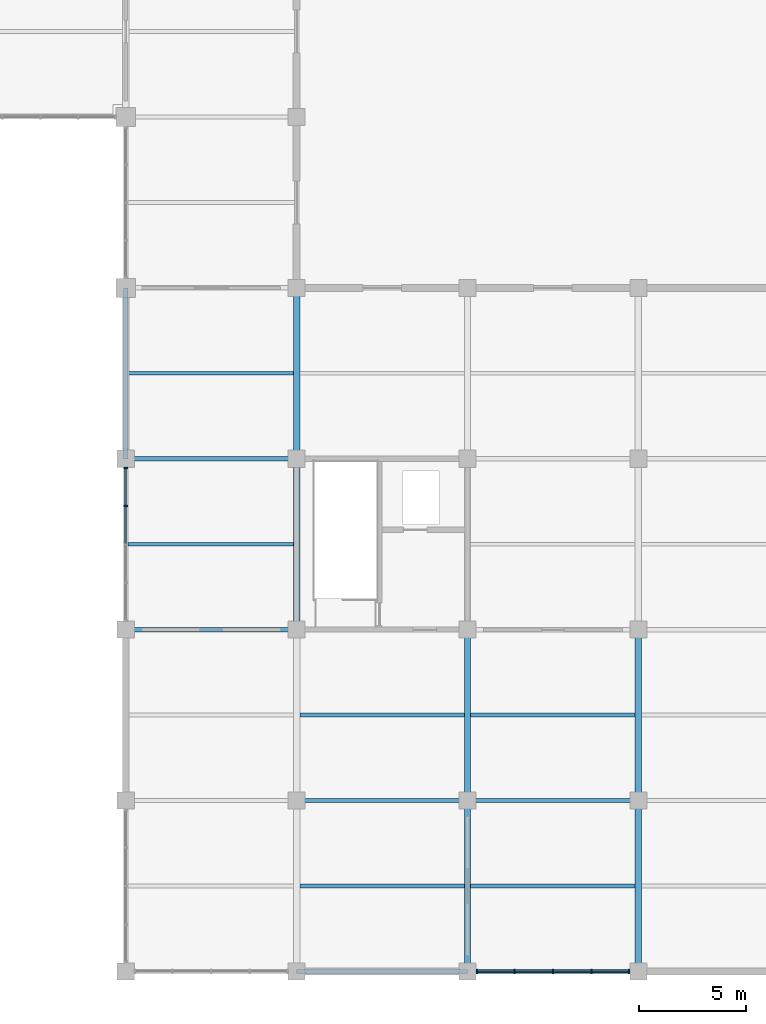
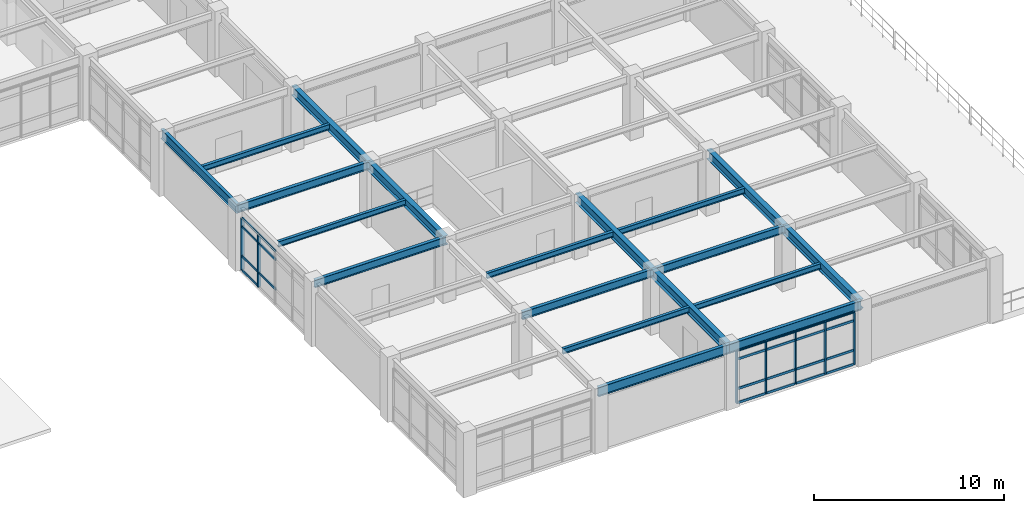
# One storey, part 34 of 118: 30 members, 19 beams, 2 elements without a shape of their own.
"""IFC4 building model written with IfcOpenShell, lengths in metres."""

import ifcopenshell
import ifcopenshell.guid

model = None  # the IFC model being written
_history = None  # IfcOwnerHistory: only IFC2X3 demands one
_inside = {}  # id of a spatial element -> (the spatial element, [elements in it])
_under = {}  # id of a project, library or spatial element -> (it, [spatial elements below it])
_declared = {}  # id of a project -> (the project, [libraries it declares])
_typed = {}  # id of a type object -> (the type object, [elements of that type])
_made_of = {}  # id of a material, layer set ... -> (it, [elements and type objects made of it])


def new_model(schema):
    """Start an empty IFC model of exactly this schema.

    Asked for "IFC4X3", IfcOpenShell would pick the latest addendum, in which some entities
    have other attributes; the version numbers below select the first issue.
    IFC2X3 requires an IfcOwnerHistory on every rooted entity: one is made here for all.
    """
    global model, _history
    if schema == "IFC4X3":
        model = ifcopenshell.file(schema_version=(4, 3, 0, 0))
    else:
        model = ifcopenshell.file(schema=schema)
    _inside.clear()
    _under.clear()
    _declared.clear()
    _typed.clear()
    _made_of.clear()
    _history = None
    if model.schema == "IFC2X3":
        org = make("IfcOrganization", Name="unknown")
        user = make(
            "IfcPersonAndOrganization",
            ThePerson=make("IfcPerson", FamilyName="unknown"),
            TheOrganization=org,
        )
        app = make(
            "IfcApplication",
            ApplicationDeveloper=org,
            Version="unknown",
            ApplicationFullName="unknown",
            ApplicationIdentifier="unknown",
        )
        _history = make(
            "IfcOwnerHistory",
            OwningUser=user,
            OwningApplication=app,
            ChangeAction="ADDED",
            CreationDate=0,
        )
    return model


def make(cls, **values):
    """One entity of the class cls with the attributes given. An attribute that is None is left unset."""
    return model.create_entity(
        cls, **{name: value for name, value in values.items() if value is not None}
    )


def rooted(cls, **values):
    """An entity with a GlobalId (a new one), such as an element, a storey or a relation."""
    return make(cls, GlobalId=ifcopenshell.guid.new(), OwnerHistory=_history, **values)


def si_unit(unit_type, name, prefix=None):
    """IfcSIUnit, for example si_unit("LENGTHUNIT", "METRE", prefix="MILLI")."""
    return make("IfcSIUnit", UnitType=unit_type, Prefix=prefix, Name=name)


def assignment(units):
    """IfcUnitAssignment: the units of a project."""
    return None if units is None else make("IfcUnitAssignment", Units=units)


def point(xyz):
    """IfcCartesianPoint."""
    return None if xyz is None else make("IfcCartesianPoint", Coordinates=xyz)


def direction(xyz):
    """IfcDirection."""
    return None if xyz is None else make("IfcDirection", DirectionRatios=xyz)


def frame(location, z_axis=None, x_axis=None):
    """IfcAxis2Placement3D, a coordinate frame: its origin and axes. An axis left out is left unset."""
    return make(
        "IfcAxis2Placement3D",
        Location=point(location),
        Axis=direction(z_axis),
        RefDirection=direction(x_axis),
    )


def frame_2d(location, x_axis=None):
    """IfcAxis2Placement2D, a coordinate frame in the plane: its origin and x axis."""
    return make(
        "IfcAxis2Placement2D", Location=point(location), RefDirection=direction(x_axis)
    )


def origin():
    """The frame at (0, 0, 0) with its axes left unset."""
    return frame((0.0, 0.0, 0.0))


def origin_2d():
    """The frame at (0, 0) in the plane with its x axis left unset."""
    return frame_2d((0.0, 0.0))


def place(relative_to, where):
    """IfcLocalPlacement: puts the frame where relative to a parent placement (None: the world)."""
    return make(
        "IfcLocalPlacement", PlacementRelTo=relative_to, RelativePlacement=where
    )


def context(
    kind, dimensions, precision=None, world=None, true_north=None, identifier=None
):
    """IfcGeometricRepresentationContext, for example the 3D "Model" context."""
    return make(
        "IfcGeometricRepresentationContext",
        ContextIdentifier=identifier,
        ContextType=kind,
        CoordinateSpaceDimension=dimensions,
        Precision=precision,
        WorldCoordinateSystem=world,
        TrueNorth=true_north,
    )


def subcontext(parent, identifier, kind, view, scale=None):
    """IfcGeometricRepresentationSubContext, for example "Body" below "Model"."""
    return make(
        "IfcGeometricRepresentationSubContext",
        ContextIdentifier=identifier,
        ContextType=kind,
        ParentContext=parent,
        TargetScale=scale,
        TargetView=view,
    )


def project(units=None, contexts=None):
    """IfcProject with its units and contexts."""
    return rooted(
        "IfcProject",
        Name="project",
        RepresentationContexts=contexts,
        UnitsInContext=assignment(units),
    )


def spatial(cls, under=None, at=None, **own):
    """A site, building, storey or space (cls), placed at a placement, below another one or the project."""
    s = rooted(cls, ObjectPlacement=at, **own)
    if under is not None:
        _under.setdefault(under.id(), (under, []))[1].append(s)
    return s


def profile(cls, at=None, kind="AREA", **sizes):
    """A parametric profile (cls). Its sizes go by their IFC names, for example OverallWidth=200.0."""
    return make(cls, ProfileType=kind, Position=at, **sizes)


def rectangle(**sizes):
    """IfcRectangleProfileDef."""
    return profile("IfcRectangleProfileDef", **sizes)


def i_section(**sizes):
    """IfcIShapeProfileDef."""
    return profile("IfcIShapeProfileDef", **sizes)


def extrude(swept, where, along, depth):
    """IfcExtrudedAreaSolid: the profile swept, set in the frame where, extruded along a direction by depth."""
    return make(
        "IfcExtrudedAreaSolid",
        SweptArea=swept,
        Position=where,
        ExtrudedDirection=direction(along),
        Depth=depth,
    )


def shape(context_of_items, identifier, shape_type, items):
    """IfcShapeRepresentation: the items that make up one representation, for example the "Body"."""
    return make(
        "IfcShapeRepresentation",
        ContextOfItems=context_of_items,
        RepresentationIdentifier=identifier,
        RepresentationType=shape_type,
        Items=items,
    )


def material(Name=None, Category=None):
    """IfcMaterial."""
    return make("IfcMaterial", Name=Name, Category=Category)


def layer(
    of_material, thickness, ventilated=None, Name=None, Category=None, Priority=None
):
    """IfcMaterialLayer: one layer of a wall or slab, of a material (None: an air gap)."""
    return make(
        "IfcMaterialLayer",
        Material=of_material,
        LayerThickness=thickness,
        IsVentilated=ventilated,
        Name=Name,
        Category=Category,
        Priority=Priority,
    )


def layer_set(layers, Name=None):
    """IfcMaterialLayerSet."""
    return make("IfcMaterialLayerSet", MaterialLayers=layers, LayerSetName=Name)


def material_profile(
    of_material, cross_section, Name=None, Category=None, Priority=None
):
    """IfcMaterialProfile: a cross section and its material."""
    return make(
        "IfcMaterialProfile",
        Name=Name,
        Material=of_material,
        Profile=cross_section,
        Priority=Priority,
        Category=Category,
    )


def profile_set(profiles, Name=None, composite=None):
    """IfcMaterialProfileSet."""
    return make(
        "IfcMaterialProfileSet",
        Name=Name,
        MaterialProfiles=profiles,
        CompositeProfile=composite,
    )


def made_of(thing, what):
    """Note that an element or type object is made of a material, layer set ...; save() writes the relation."""
    if what is not None:
        _made_of.setdefault(what.id(), (what, []))[1].append(thing)
    return thing


def type_object(cls, material=None, **own):
    """A type object (cls), such as IfcWallType, which elements share."""
    return made_of(rooted(cls, **own), material)


def element(
    cls,
    number,
    at=None,
    inside=None,
    cuts=None,
    type_object=None,
    material=None,
    context=None,
    identifier="Body",
    shape_type=None,
    held_by="IfcProductDefinitionShape",
    body=None,
    shapes=None,
    **own,
):
    """One element of the class cls, such as IfcWall. Its Tag is "e" and its number.

    at: its placement. inside: the storey or other place that contains it. cuts: it is an
    opening in that element (IfcRelVoidsElement). A single representation is given by context,
    identifier, shape_type and body (its items); several are given by shapes. held_by: the class
    of the entity that holds the representations. save() writes the other relations.
    """
    e = rooted(cls, Tag="e%d" % number, ObjectPlacement=at, **own)
    if body is not None:
        shapes = [shape(context, identifier, shape_type, body)]
    if shapes is not None:
        e.Representation = make(held_by, Representations=shapes)
    if inside is not None:
        _inside.setdefault(inside.id(), (inside, []))[1].append(e)
    if cuts is not None:
        rooted(
            "IfcRelVoidsElement", RelatingBuildingElement=cuts, RelatedOpeningElement=e
        )
    if type_object is not None:
        _typed.setdefault(type_object.id(), (type_object, []))[1].append(e)
    return made_of(e, material)


def aggregate(whole, parts):
    """IfcRelAggregates: a whole, such as a stair, and the parts it consists of."""
    return rooted("IfcRelAggregates", RelatingObject=whole, RelatedObjects=parts)


def save(model, path):
    """Write the relations noted so far, then the file.

    IfcRelAggregates (storeys below a building ...), IfcRelContainedInSpatialStructure (elements
    in a storey), IfcRelDefinesByType, IfcRelAssociatesMaterial and IfcRelDeclares: one each for
    every whole, place, type object, material and project.
    """
    for whole, parts in _under.values():
        aggregate(whole, parts)
    for where, things in _inside.values():
        rooted(
            "IfcRelContainedInSpatialStructure",
            RelatedElements=things,
            RelatingStructure=where,
        )
    for kind, things in _typed.values():
        rooted("IfcRelDefinesByType", RelatedObjects=things, RelatingType=kind)
    for what, things in _made_of.values():
        rooted("IfcRelAssociatesMaterial", RelatedObjects=things, RelatingMaterial=what)
    for by, libraries in _declared.values():
        rooted("IfcRelDeclares", RelatingContext=by, RelatedDefinitions=libraries)
    model.write(path)


model = new_model("IFC4")

# Units and contexts
model_context = context("Model", 3, precision=1e-05, world=origin(), true_north=direction((0.0, 1.0)))
body_context = subcontext(model_context, "Body", "Model", "MODEL_VIEW")
ifc_project = project(units=[si_unit("LENGTHUNIT", "METRE"), si_unit("AREAUNIT", "SQUARE_METRE"), si_unit("VOLUMEUNIT", "CUBIC_METRE"), si_unit("PLANEANGLEUNIT", "RADIAN"), si_unit("MASSUNIT", "GRAM", prefix="KILO")], contexts=[model_context])

# Site, building, storey
site_placement = place(None, origin())
site = spatial("IfcSite", under=ifc_project, at=site_placement, CompositionType="ELEMENT")
building_placement = place(site_placement, origin())
building = spatial("IfcBuilding", under=site, at=building_placement, Name="Haebicheon Civic Stadium", CompositionType="ELEMENT")
storey_placement = place(building_placement, frame((0.0, 0.0, 14.39990234375)))
storey = spatial("IfcBuildingStorey", under=building, at=storey_placement, Name="L04", CompositionType="ELEMENT", Elevation=14.39990234375)

# Beams
ifc_material_1 = material(Name="Steel SM355 (S355)", Category="steel")
ifc_material_profile_1 = material_profile(ifc_material_1, i_section(OverallWidth=0.199951171875, OverallDepth=0.5, WebThickness=0.010009765625, FlangeThickness=0.01611328125, at=origin_2d()), Name="H-500x200x10x16")
ifc_profile_set_1 = profile_set([ifc_material_profile_1], Name="Steel SM355 (S355)")
beam_type_1 = type_object("IfcBeamType", Name="BM-ST-H500", PredefinedType="BEAM", material=ifc_profile_set_1)
for number, where, z_axis, x_axis, name in (
    (1, (160.0, 16.0, 3.72998046875), (1.0, 0.0, 0.0), (0.0, 1.0, 0.0), "L04 beam C/21-22"),
    (2, (160.0, 24.0, 3.72998046875), (1.0, 0.0, 0.0), (0.0, 1.0, 0.0), "L04 beam D/21-22"),
    (3, (168.0, 8.0, 3.72998046875), (1.0, 0.0, 0.0), (0.0, 1.0, 0.0), "L04 beam B/22-23"),
    (4, (176.0, 8.0, 3.72998046875), (1.0, 0.0, 0.0), (0.0, 1.0, 0.0), "L04 beam B/23-24"),
):
    element("IfcBeam", number, at=place(storey_placement, frame(where, z_axis=z_axis, x_axis=x_axis)), inside=storey, type_object=beam_type_1, material=ifc_profile_set_1, Name=name, PredefinedType="BEAM", context=body_context, shape_type="SweptSolid", body=[
        extrude(i_section(OverallWidth=0.199951171875, OverallDepth=0.5, WebThickness=0.010009765625, FlangeThickness=0.01611328125, at=origin_2d()), origin(), (0.0, 0.0, 1.0), 8.0),
    ])
ifc_material_2 = material(Name="Steel SM355 (S355)", Category="steel")
ifc_material_profile_2 = material_profile(ifc_material_2, i_section(OverallWidth=0.300048828125, OverallDepth=0.60009765625, WebThickness=0.011962890625, FlangeThickness=0.02001953125, at=origin_2d()), Name="H-600x300x12x20")
ifc_profile_set_2 = profile_set([ifc_material_profile_2], Name="Steel SM355 (S355)")
beam_type_2 = type_object("IfcBeamType", Name="BM-ST-H600A", PredefinedType="BEAM", material=ifc_profile_set_2)
for number, where, z_axis, x_axis, name in (
    (5, (168.0, 16.0, 3.68017578125), (0.0, 1.0, 0.0), (-1.0, 0.0, 0.0), "L04 girder 22/C-D"),
    (6, (168.0, 24.0, 3.68017578125), (0.0, 1.0, 0.0), (-1.0, 0.0, 0.0), "L04 girder 22/D-E"),
    (7, (176.0, 0.0, 3.68017578125), (0.0, 1.0, 0.0), (-1.0, 0.0, 0.0), "L04 girder 23/A-B"),
    (8, (176.0, 8.0, 3.68017578125), (0.0, 1.0, 0.0), (-1.0, 0.0, 0.0), "L04 girder 23/B-C"),
    (9, (184.0, 0.0, 3.68017578125), (0.0, 1.0, 0.0), (-1.0, 0.0, 0.0), "L04 girder 24/A-B"),
    (10, (184.0, 8.0, 3.68017578125), (0.0, 1.0, 0.0), (-1.0, 0.0, 0.0), "L04 girder 24/B-C"),
):
    element("IfcBeam", number, at=place(storey_placement, frame(where, z_axis=z_axis, x_axis=x_axis)), inside=storey, type_object=beam_type_2, material=ifc_profile_set_2, Name=name, PredefinedType="BEAM", context=body_context, shape_type="SweptSolid", body=[
        extrude(i_section(OverallWidth=0.300048828125, OverallDepth=0.60009765625, WebThickness=0.011962890625, FlangeThickness=0.02001953125, at=origin_2d()), origin(), (0.0, 0.0, 1.0), 8.0),
    ])

# Curtain wall, members
ifc_material_3 = material(Name="Anodised aluminium and laminated glass", Category="aluminium")
ifc_layer = layer(ifc_material_3, 0.179931640625, Name="Anodised aluminium and laminated glass")
ifc_layer_set = layer_set([ifc_layer], Name="Anodised aluminium and laminated glass")
curtain_wall_type = type_object("IfcCurtainWallType", Name="CW-7200x3350", PredefinedType="NOTDEFINED", material=ifc_layer_set)
curtain_wall_1_placement = place(storey_placement, origin())
curtain_wall_1 = element("IfcCurtainWall", 11, at=curtain_wall_1_placement, inside=storey, type_object=curtain_wall_type, material=ifc_layer_set, Name="L04 unitised curtain wall 152", PredefinedType="NOTDEFINED")
ifc_material_4 = material(Name="Anodised aluminium 6063-T6", Category="aluminium")
ifc_material_profile_3 = material_profile(ifc_material_4, rectangle(XDim=0.070068359375, YDim=0.199951171875, at=origin_2d()), Name="ALU-MULL-70x200")
ifc_profile_set_3 = profile_set([ifc_material_profile_3], Name="Anodised aluminium 6063-T6")
member_type_1 = type_object("IfcMemberType", Name="CWM-200x70", PredefinedType="MULLION", material=ifc_profile_set_3)
member_1_placement = place(storey_placement, frame((160.0, 21.800048828125, 0.0), z_axis=(0.0, 0.0, 1.0), x_axis=(0.0, 1.0, 0.0)))
member_1 = element("IfcMember", 12, at=member_1_placement, type_object=member_type_1, material=ifc_profile_set_3, Name="CW-L04-152 vertical mullion 4", PredefinedType="MULLION", context=body_context, shape_type="SweptSolid", body=[
    extrude(rectangle(XDim=0.070068359375, YDim=0.199951171875, at=origin_2d()), origin(), (0.0, 0.0, 1.0), 3.35009765625),
])
member_2_placement = place(storey_placement, frame((160.0, 23.56494140625, 0.0), z_axis=(0.0, 0.0, 1.0), x_axis=(0.0, 1.0, 0.0)))
member_2 = element("IfcMember", 13, at=member_2_placement, type_object=member_type_1, material=ifc_profile_set_3, Name="CW-L04-152 vertical mullion 5", PredefinedType="MULLION", context=body_context, shape_type="SweptSolid", body=[
    extrude(rectangle(XDim=0.070068359375, YDim=0.199951171875, at=origin_2d()), origin(), (0.0, 0.0, 1.0), 3.35009765625),
])

curtain_wall_2_placement = place(storey_placement, origin())
curtain_wall_2 = element("IfcCurtainWall", 14, at=curtain_wall_2_placement, inside=storey, type_object=curtain_wall_type, material=ifc_layer_set, Name="L04 unitised curtain wall 162", PredefinedType="NOTDEFINED")
member_3_placement = place(storey_placement, frame((176.43505859375, 0.0, 0.0), z_axis=(0.0, 0.0, 1.0), x_axis=(1.0, 0.0, 0.0)))
member_3 = element("IfcMember", 15, at=member_3_placement, type_object=member_type_1, material=ifc_profile_set_3, Name="CW-L04-162 vertical mullion 1", PredefinedType="MULLION", context=body_context, shape_type="SweptSolid", body=[
    extrude(rectangle(XDim=0.070068359375, YDim=0.199951171875, at=origin_2d()), origin(), (0.0, 0.0, 1.0), 3.35009765625),
])
member_4_placement = place(storey_placement, frame((178.199951171875, 0.0, 0.0), z_axis=(0.0, 0.0, 1.0), x_axis=(1.0, 0.0, 0.0)))
member_4 = element("IfcMember", 16, at=member_4_placement, type_object=member_type_1, material=ifc_profile_set_3, Name="CW-L04-162 vertical mullion 2", PredefinedType="MULLION", context=body_context, shape_type="SweptSolid", body=[
    extrude(rectangle(XDim=0.070068359375, YDim=0.199951171875, at=origin_2d()), origin(), (0.0, 0.0, 1.0), 3.35009765625),
])
member_5_placement = place(storey_placement, frame((180.0, 0.0, 0.0), z_axis=(0.0, 0.0, 1.0), x_axis=(1.0, 0.0, 0.0)))
member_5 = element("IfcMember", 17, at=member_5_placement, type_object=member_type_1, material=ifc_profile_set_3, Name="CW-L04-162 vertical mullion 3", PredefinedType="MULLION", context=body_context, shape_type="SweptSolid", body=[
    extrude(rectangle(XDim=0.070068359375, YDim=0.199951171875, at=origin_2d()), origin(), (0.0, 0.0, 1.0), 3.35009765625),
])
member_6_placement = place(storey_placement, frame((181.800048828125, 0.0, 0.0), z_axis=(0.0, 0.0, 1.0), x_axis=(1.0, 0.0, 0.0)))
member_6 = element("IfcMember", 18, at=member_6_placement, type_object=member_type_1, material=ifc_profile_set_3, Name="CW-L04-162 vertical mullion 4", PredefinedType="MULLION", context=body_context, shape_type="SweptSolid", body=[
    extrude(rectangle(XDim=0.070068359375, YDim=0.199951171875, at=origin_2d()), origin(), (0.0, 0.0, 1.0), 3.35009765625),
])
member_7_placement = place(storey_placement, frame((183.56494140625, 0.0, 0.0), z_axis=(0.0, 0.0, 1.0), x_axis=(1.0, 0.0, 0.0)))
member_7 = element("IfcMember", 19, at=member_7_placement, type_object=member_type_1, material=ifc_profile_set_3, Name="CW-L04-162 vertical mullion 5", PredefinedType="MULLION", context=body_context, shape_type="SweptSolid", body=[
    extrude(rectangle(XDim=0.070068359375, YDim=0.199951171875, at=origin_2d()), origin(), (0.0, 0.0, 1.0), 3.35009765625),
])

# Member
ifc_material_5 = material(Name="Anodised aluminium 6063-T6", Category="aluminium")
ifc_material_profile_4 = material_profile(ifc_material_5, rectangle(XDim=0.070068359375, YDim=0.14990234375, at=origin_2d()), Name="ALU-TRAN-70x150")
ifc_profile_set_4 = profile_set([ifc_material_profile_4], Name="Anodised aluminium 6063-T6")
member_type_2 = type_object("IfcMemberType", Name="CWT-150x70", PredefinedType="NOTDEFINED", material=ifc_profile_set_4)
member_8_placement = place(storey_placement, frame((160.0, 20.034912109375, 0.900146484375), z_axis=(0.0, 1.0, 0.0), x_axis=(-1.0, 0.0, 0.0)))
member_8 = element("IfcMember", 20, at=member_8_placement, type_object=member_type_2, material=ifc_profile_set_4, Name="CW-L04-152 horizontal transom 3.2", ObjectType="TRANSOM", PredefinedType="USERDEFINED", context=body_context, shape_type="SweptSolid", body=[
    extrude(rectangle(XDim=0.070068359375, YDim=0.14990234375, at=origin_2d()), origin(), (0.0, 0.0, 1.0), 1.72998046875),
])

member_9_placement = place(storey_placement, frame((160.0, 20.034912109375, 2.800048828125), z_axis=(0.0, 1.0, 0.0), x_axis=(-1.0, 0.0, 0.0)))
member_9 = element("IfcMember", 21, at=member_9_placement, type_object=member_type_2, material=ifc_profile_set_4, Name="CW-L04-152 horizontal transom 3.3", ObjectType="TRANSOM", PredefinedType="USERDEFINED", context=body_context, shape_type="SweptSolid", body=[
    extrude(rectangle(XDim=0.070068359375, YDim=0.14990234375, at=origin_2d()), origin(), (0.0, 0.0, 1.0), 1.72998046875),
])

member_10_placement = place(storey_placement, frame((160.0, 20.034912109375, 3.35009765625), z_axis=(0.0, 1.0, 0.0), x_axis=(-1.0, 0.0, 0.0)))
member_10 = element("IfcMember", 22, at=member_10_placement, type_object=member_type_2, material=ifc_profile_set_4, Name="CW-L04-152 horizontal transom 3.4", ObjectType="TRANSOM", PredefinedType="USERDEFINED", context=body_context, shape_type="SweptSolid", body=[
    extrude(rectangle(XDim=0.070068359375, YDim=0.14990234375, at=origin_2d()), origin(), (0.0, 0.0, 1.0), 1.72998046875),
])

member_11_placement = place(storey_placement, frame((160.0, 21.8349609375, 0.0), z_axis=(0.0, 1.0, 0.0), x_axis=(-1.0, 0.0, 0.0)))
member_11 = element("IfcMember", 23, at=member_11_placement, type_object=member_type_2, material=ifc_profile_set_4, Name="CW-L04-152 horizontal transom 4.1", ObjectType="TRANSOM", PredefinedType="USERDEFINED", context=body_context, shape_type="SweptSolid", body=[
    extrude(rectangle(XDim=0.070068359375, YDim=0.14990234375, at=origin_2d()), origin(), (0.0, 0.0, 1.0), 1.695068359375),
])

member_12_placement = place(storey_placement, frame((160.0, 21.8349609375, 0.900146484375), z_axis=(0.0, 1.0, 0.0), x_axis=(-1.0, 0.0, 0.0)))
member_12 = element("IfcMember", 24, at=member_12_placement, type_object=member_type_2, material=ifc_profile_set_4, Name="CW-L04-152 horizontal transom 4.2", ObjectType="TRANSOM", PredefinedType="USERDEFINED", context=body_context, shape_type="SweptSolid", body=[
    extrude(rectangle(XDim=0.070068359375, YDim=0.14990234375, at=origin_2d()), origin(), (0.0, 0.0, 1.0), 1.695068359375),
])

member_13_placement = place(storey_placement, frame((160.0, 21.8349609375, 2.800048828125), z_axis=(0.0, 1.0, 0.0), x_axis=(-1.0, 0.0, 0.0)))
member_13 = element("IfcMember", 25, at=member_13_placement, type_object=member_type_2, material=ifc_profile_set_4, Name="CW-L04-152 horizontal transom 4.3", ObjectType="TRANSOM", PredefinedType="USERDEFINED", context=body_context, shape_type="SweptSolid", body=[
    extrude(rectangle(XDim=0.070068359375, YDim=0.14990234375, at=origin_2d()), origin(), (0.0, 0.0, 1.0), 1.695068359375),
])

member_14_placement = place(storey_placement, frame((160.0, 21.8349609375, 3.35009765625), z_axis=(0.0, 1.0, 0.0), x_axis=(-1.0, 0.0, 0.0)))
member_14 = element("IfcMember", 26, at=member_14_placement, type_object=member_type_2, material=ifc_profile_set_4, Name="CW-L04-152 horizontal transom 4.4", ObjectType="TRANSOM", PredefinedType="USERDEFINED", context=body_context, shape_type="SweptSolid", body=[
    extrude(rectangle(XDim=0.070068359375, YDim=0.14990234375, at=origin_2d()), origin(), (0.0, 0.0, 1.0), 1.695068359375),
])

aggregate(curtain_wall_1, [member_1, member_2, member_8, member_9, member_10, member_11, member_12, member_13, member_14])

member_15_placement = place(storey_placement, frame((176.469970703125, 0.0, 0.0), z_axis=(1.0, 0.0, 0.0), x_axis=(0.0, 1.0, 0.0)))
member_15 = element("IfcMember", 27, at=member_15_placement, type_object=member_type_2, material=ifc_profile_set_4, Name="CW-L04-162 horizontal transom 1.1", ObjectType="TRANSOM", PredefinedType="USERDEFINED", context=body_context, shape_type="SweptSolid", body=[
    extrude(rectangle(XDim=0.070068359375, YDim=0.14990234375, at=origin_2d()), origin(), (0.0, 0.0, 1.0), 1.695068359375),
])

member_16_placement = place(storey_placement, frame((176.469970703125, 0.0, 0.900146484375), z_axis=(1.0, 0.0, 0.0), x_axis=(0.0, 1.0, 0.0)))
member_16 = element("IfcMember", 28, at=member_16_placement, type_object=member_type_2, material=ifc_profile_set_4, Name="CW-L04-162 horizontal transom 1.2", ObjectType="TRANSOM", PredefinedType="USERDEFINED", context=body_context, shape_type="SweptSolid", body=[
    extrude(rectangle(XDim=0.070068359375, YDim=0.14990234375, at=origin_2d()), origin(), (0.0, 0.0, 1.0), 1.695068359375),
])

member_17_placement = place(storey_placement, frame((176.469970703125, 0.0, 2.800048828125), z_axis=(1.0, 0.0, 0.0), x_axis=(0.0, 1.0, 0.0)))
member_17 = element("IfcMember", 29, at=member_17_placement, type_object=member_type_2, material=ifc_profile_set_4, Name="CW-L04-162 horizontal transom 1.3", ObjectType="TRANSOM", PredefinedType="USERDEFINED", context=body_context, shape_type="SweptSolid", body=[
    extrude(rectangle(XDim=0.070068359375, YDim=0.14990234375, at=origin_2d()), origin(), (0.0, 0.0, 1.0), 1.695068359375),
])

member_18_placement = place(storey_placement, frame((176.469970703125, 0.0, 3.35009765625), z_axis=(1.0, 0.0, 0.0), x_axis=(0.0, 1.0, 0.0)))
member_18 = element("IfcMember", 30, at=member_18_placement, type_object=member_type_2, material=ifc_profile_set_4, Name="CW-L04-162 horizontal transom 1.4", ObjectType="TRANSOM", PredefinedType="USERDEFINED", context=body_context, shape_type="SweptSolid", body=[
    extrude(rectangle(XDim=0.070068359375, YDim=0.14990234375, at=origin_2d()), origin(), (0.0, 0.0, 1.0), 1.695068359375),
])

member_19_placement = place(storey_placement, frame((178.235107421875, 0.0, 0.0), z_axis=(1.0, 0.0, 0.0), x_axis=(0.0, 1.0, 0.0)))
member_19 = element("IfcMember", 31, at=member_19_placement, type_object=member_type_2, material=ifc_profile_set_4, Name="CW-L04-162 horizontal transom 2.1", ObjectType="TRANSOM", PredefinedType="USERDEFINED", context=body_context, shape_type="SweptSolid", body=[
    extrude(rectangle(XDim=0.070068359375, YDim=0.14990234375, at=origin_2d()), origin(), (0.0, 0.0, 1.0), 1.72998046875),
])

member_20_placement = place(storey_placement, frame((178.235107421875, 0.0, 0.900146484375), z_axis=(1.0, 0.0, 0.0), x_axis=(0.0, 1.0, 0.0)))
member_20 = element("IfcMember", 32, at=member_20_placement, type_object=member_type_2, material=ifc_profile_set_4, Name="CW-L04-162 horizontal transom 2.2", ObjectType="TRANSOM", PredefinedType="USERDEFINED", context=body_context, shape_type="SweptSolid", body=[
    extrude(rectangle(XDim=0.070068359375, YDim=0.14990234375, at=origin_2d()), origin(), (0.0, 0.0, 1.0), 1.72998046875),
])

member_21_placement = place(storey_placement, frame((178.235107421875, 0.0, 2.800048828125), z_axis=(1.0, 0.0, 0.0), x_axis=(0.0, 1.0, 0.0)))
member_21 = element("IfcMember", 33, at=member_21_placement, type_object=member_type_2, material=ifc_profile_set_4, Name="CW-L04-162 horizontal transom 2.3", ObjectType="TRANSOM", PredefinedType="USERDEFINED", context=body_context, shape_type="SweptSolid", body=[
    extrude(rectangle(XDim=0.070068359375, YDim=0.14990234375, at=origin_2d()), origin(), (0.0, 0.0, 1.0), 1.72998046875),
])

member_22_placement = place(storey_placement, frame((178.235107421875, 0.0, 3.35009765625), z_axis=(1.0, 0.0, 0.0), x_axis=(0.0, 1.0, 0.0)))
member_22 = element("IfcMember", 34, at=member_22_placement, type_object=member_type_2, material=ifc_profile_set_4, Name="CW-L04-162 horizontal transom 2.4", ObjectType="TRANSOM", PredefinedType="USERDEFINED", context=body_context, shape_type="SweptSolid", body=[
    extrude(rectangle(XDim=0.070068359375, YDim=0.14990234375, at=origin_2d()), origin(), (0.0, 0.0, 1.0), 1.72998046875),
])

member_23_placement = place(storey_placement, frame((180.034912109375, 0.0, 0.0), z_axis=(1.0, 0.0, 0.0), x_axis=(0.0, 1.0, 0.0)))
member_23 = element("IfcMember", 35, at=member_23_placement, type_object=member_type_2, material=ifc_profile_set_4, Name="CW-L04-162 horizontal transom 3.1", ObjectType="TRANSOM", PredefinedType="USERDEFINED", context=body_context, shape_type="SweptSolid", body=[
    extrude(rectangle(XDim=0.070068359375, YDim=0.14990234375, at=origin_2d()), origin(), (0.0, 0.0, 1.0), 1.72998046875),
])

member_24_placement = place(storey_placement, frame((180.034912109375, 0.0, 0.900146484375), z_axis=(1.0, 0.0, 0.0), x_axis=(0.0, 1.0, 0.0)))
member_24 = element("IfcMember", 36, at=member_24_placement, type_object=member_type_2, material=ifc_profile_set_4, Name="CW-L04-162 horizontal transom 3.2", ObjectType="TRANSOM", PredefinedType="USERDEFINED", context=body_context, shape_type="SweptSolid", body=[
    extrude(rectangle(XDim=0.070068359375, YDim=0.14990234375, at=origin_2d()), origin(), (0.0, 0.0, 1.0), 1.72998046875),
])

member_25_placement = place(storey_placement, frame((180.034912109375, 0.0, 2.800048828125), z_axis=(1.0, 0.0, 0.0), x_axis=(0.0, 1.0, 0.0)))
member_25 = element("IfcMember", 37, at=member_25_placement, type_object=member_type_2, material=ifc_profile_set_4, Name="CW-L04-162 horizontal transom 3.3", ObjectType="TRANSOM", PredefinedType="USERDEFINED", context=body_context, shape_type="SweptSolid", body=[
    extrude(rectangle(XDim=0.070068359375, YDim=0.14990234375, at=origin_2d()), origin(), (0.0, 0.0, 1.0), 1.72998046875),
])

member_26_placement = place(storey_placement, frame((180.034912109375, 0.0, 3.35009765625), z_axis=(1.0, 0.0, 0.0), x_axis=(0.0, 1.0, 0.0)))
member_26 = element("IfcMember", 38, at=member_26_placement, type_object=member_type_2, material=ifc_profile_set_4, Name="CW-L04-162 horizontal transom 3.4", ObjectType="TRANSOM", PredefinedType="USERDEFINED", context=body_context, shape_type="SweptSolid", body=[
    extrude(rectangle(XDim=0.070068359375, YDim=0.14990234375, at=origin_2d()), origin(), (0.0, 0.0, 1.0), 1.72998046875),
])

member_27_placement = place(storey_placement, frame((181.8349609375, 0.0, 0.0), z_axis=(1.0, 0.0, 0.0), x_axis=(0.0, 1.0, 0.0)))
member_27 = element("IfcMember", 39, at=member_27_placement, type_object=member_type_2, material=ifc_profile_set_4, Name="CW-L04-162 horizontal transom 4.1", ObjectType="TRANSOM", PredefinedType="USERDEFINED", context=body_context, shape_type="SweptSolid", body=[
    extrude(rectangle(XDim=0.070068359375, YDim=0.14990234375, at=origin_2d()), origin(), (0.0, 0.0, 1.0), 1.695068359375),
])

member_28_placement = place(storey_placement, frame((181.8349609375, 0.0, 0.900146484375), z_axis=(1.0, 0.0, 0.0), x_axis=(0.0, 1.0, 0.0)))
member_28 = element("IfcMember", 40, at=member_28_placement, type_object=member_type_2, material=ifc_profile_set_4, Name="CW-L04-162 horizontal transom 4.2", ObjectType="TRANSOM", PredefinedType="USERDEFINED", context=body_context, shape_type="SweptSolid", body=[
    extrude(rectangle(XDim=0.070068359375, YDim=0.14990234375, at=origin_2d()), origin(), (0.0, 0.0, 1.0), 1.695068359375),
])

member_29_placement = place(storey_placement, frame((181.8349609375, 0.0, 2.800048828125), z_axis=(1.0, 0.0, 0.0), x_axis=(0.0, 1.0, 0.0)))
member_29 = element("IfcMember", 41, at=member_29_placement, type_object=member_type_2, material=ifc_profile_set_4, Name="CW-L04-162 horizontal transom 4.3", ObjectType="TRANSOM", PredefinedType="USERDEFINED", context=body_context, shape_type="SweptSolid", body=[
    extrude(rectangle(XDim=0.070068359375, YDim=0.14990234375, at=origin_2d()), origin(), (0.0, 0.0, 1.0), 1.695068359375),
])

member_30_placement = place(storey_placement, frame((181.8349609375, 0.0, 3.35009765625), z_axis=(1.0, 0.0, 0.0), x_axis=(0.0, 1.0, 0.0)))
member_30 = element("IfcMember", 42, at=member_30_placement, type_object=member_type_2, material=ifc_profile_set_4, Name="CW-L04-162 horizontal transom 4.4", ObjectType="TRANSOM", PredefinedType="USERDEFINED", context=body_context, shape_type="SweptSolid", body=[
    extrude(rectangle(XDim=0.070068359375, YDim=0.14990234375, at=origin_2d()), origin(), (0.0, 0.0, 1.0), 1.695068359375),
])

aggregate(curtain_wall_2, [member_3, member_4, member_5, member_6, member_7, member_15, member_16, member_17, member_18, member_19, member_20, member_21, member_22, member_23, member_24, member_25, member_26, member_27, member_28, member_29, member_30])

# Beams
ifc_material_6 = material(Name="Steel SM355 (S355)", Category="steel")
ifc_material_profile_5 = material_profile(ifc_material_6, i_section(OverallWidth=0.175048828125, OverallDepth=0.35009765625, WebThickness=0.007080078125, FlangeThickness=0.010986328125, at=origin_2d()), Name="H-350x175x7x11")
ifc_profile_set_5 = profile_set([ifc_material_profile_5], Name="Steel SM355 (S355)")
beam_type_3 = type_object("IfcBeamType", Name="JST-ST-H350", PredefinedType="JOIST", material=ifc_profile_set_5)
for number, where, z_axis, x_axis, name in (
    (43, (160.10009765625, 20.0, 3.80517578125), (1.0, 0.0, 0.0), (0.0, 1.0, 0.0), "L04 secondary joist 20-02"),
    (44, (160.10009765625, 28.0, 3.80517578125), (1.0, 0.0, 0.0), (0.0, 1.0, 0.0), "L04 secondary joist 20-03"),
):
    element("IfcBeam", number, at=place(storey_placement, frame(where, z_axis=z_axis, x_axis=x_axis)), inside=storey, type_object=beam_type_3, material=ifc_profile_set_5, Name=name, PredefinedType="JOIST", context=body_context, shape_type="SweptSolid", body=[
        extrude(i_section(OverallWidth=0.175048828125, OverallDepth=0.35009765625, WebThickness=0.007080078125, FlangeThickness=0.010986328125, at=origin_2d()), origin(), (0.0, 0.0, 1.0), 7.75),
    ])
for number, where, z_axis, x_axis, name in (
    (45, (168.14990234375, 4.0, 3.80517578125), (1.0, 0.0, 0.0), (0.0, 1.0, 0.0), "L04 secondary joist 21-00"),
    (46, (168.14990234375, 12.0, 3.80517578125), (1.0, 0.0, 0.0), (0.0, 1.0, 0.0), "L04 secondary joist 21-01"),
    (47, (176.14990234375, 4.0, 3.80517578125), (1.0, 0.0, 0.0), (0.0, 1.0, 0.0), "L04 secondary joist 22-00"),
    (48, (176.14990234375, 12.0, 3.80517578125), (1.0, 0.0, 0.0), (0.0, 1.0, 0.0), "L04 secondary joist 22-01"),
):
    element("IfcBeam", number, at=place(storey_placement, frame(where, z_axis=z_axis, x_axis=x_axis)), inside=storey, type_object=beam_type_3, material=ifc_profile_set_5, Name=name, PredefinedType="JOIST", context=body_context, shape_type="SweptSolid", body=[
        extrude(i_section(OverallWidth=0.175048828125, OverallDepth=0.35009765625, WebThickness=0.007080078125, FlangeThickness=0.010986328125, at=origin_2d()), origin(), (0.0, 0.0, 1.0), 7.7001953125),
    ])
ifc_material_7 = material(Name="Steel SM355 (S355)", Category="steel")
ifc_material_profile_6 = material_profile(ifc_material_7, i_section(OverallWidth=0.199951171875, OverallDepth=0.60009765625, WebThickness=0.010986328125, FlangeThickness=0.01708984375, at=origin_2d()), Name="H-600x200x11x17")
ifc_profile_set_6 = profile_set([ifc_material_profile_6], Name="Steel SM355 (S355)")
beam_type_4 = type_object("IfcBeamType", Name="SPD-ST-H600B", PredefinedType="SPANDREL", material=ifc_profile_set_6)
for number, where, z_axis, x_axis, name in (
    (49, (160.0, 24.0, 3.68017578125), (0.0, 1.0, 0.0), (-1.0, 0.0, 0.0), "L04 girder 21/D-E"),
    (50, (168.0, 0.0, 3.68017578125), (1.0, 0.0, 0.0), (0.0, 1.0, 0.0), "L04 beam A/22-23"),
    (51, (176.0, 0.0, 3.68017578125), (1.0, 0.0, 0.0), (0.0, 1.0, 0.0), "L04 beam A/23-24"),
):
    element("IfcBeam", number, at=place(storey_placement, frame(where, z_axis=z_axis, x_axis=x_axis)), inside=storey, type_object=beam_type_4, material=ifc_profile_set_6, Name=name, PredefinedType="SPANDREL", context=body_context, shape_type="SweptSolid", body=[
        extrude(i_section(OverallWidth=0.199951171875, OverallDepth=0.60009765625, WebThickness=0.010986328125, FlangeThickness=0.01708984375, at=origin_2d()), origin(), (0.0, 0.0, 1.0), 8.0),
    ])

save(model, "model.ifc")
